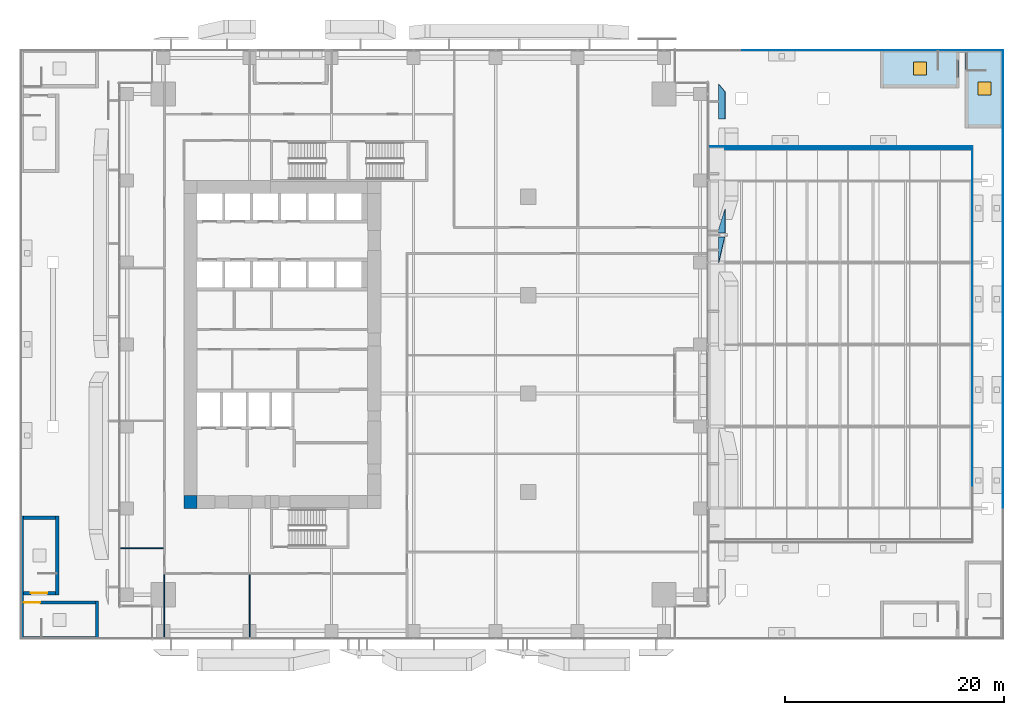
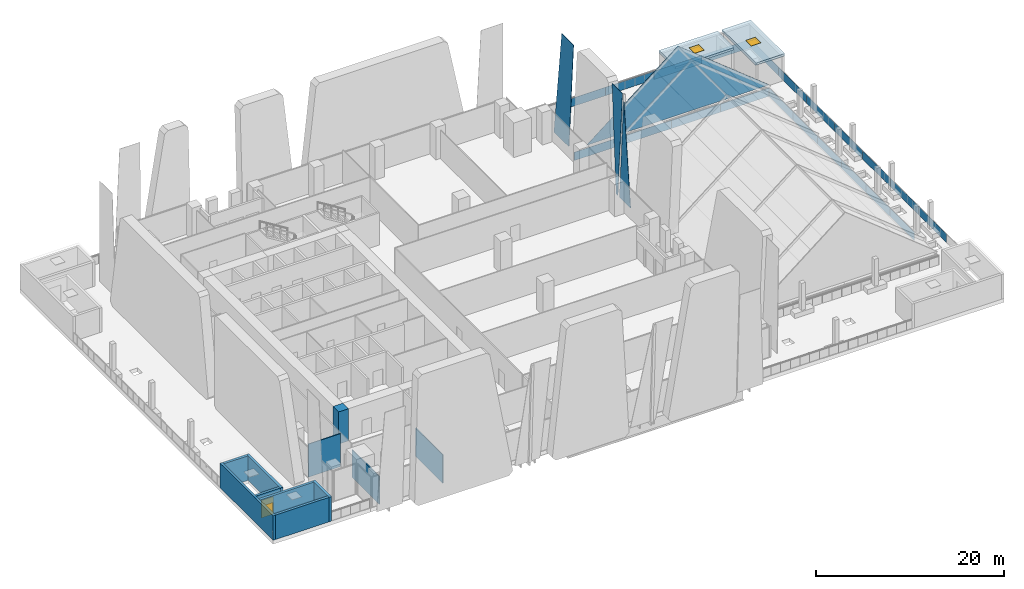
# One storey, part 34 of 46: 25 plates, 11 walls, 2 doors, 2 slabs, 2 windows, 4 openings.
"""IFC4 building model written with IfcOpenShell, lengths in metres."""

import ifcopenshell
import ifcopenshell.guid

model = None  # the IFC model being written
_history = None  # IfcOwnerHistory: only IFC2X3 demands one
_inside = {}  # id of a spatial element -> (the spatial element, [elements in it])
_under = {}  # id of a project, library or spatial element -> (it, [spatial elements below it])
_declared = {}  # id of a project -> (the project, [libraries it declares])
_typed = {}  # id of a type object -> (the type object, [elements of that type])
_made_of = {}  # id of a material, layer set ... -> (it, [elements and type objects made of it])


def new_model(schema):
    """Start an empty IFC model of exactly this schema.

    Asked for "IFC4X3", IfcOpenShell would pick the latest addendum, in which some entities
    have other attributes; the version numbers below select the first issue.
    IFC2X3 requires an IfcOwnerHistory on every rooted entity: one is made here for all.
    """
    global model, _history
    if schema == "IFC4X3":
        model = ifcopenshell.file(schema_version=(4, 3, 0, 0))
    else:
        model = ifcopenshell.file(schema=schema)
    _inside.clear()
    _under.clear()
    _declared.clear()
    _typed.clear()
    _made_of.clear()
    _history = None
    if model.schema == "IFC2X3":
        org = make("IfcOrganization", Name="unknown")
        user = make(
            "IfcPersonAndOrganization",
            ThePerson=make("IfcPerson", FamilyName="unknown"),
            TheOrganization=org,
        )
        app = make(
            "IfcApplication",
            ApplicationDeveloper=org,
            Version="unknown",
            ApplicationFullName="unknown",
            ApplicationIdentifier="unknown",
        )
        _history = make(
            "IfcOwnerHistory",
            OwningUser=user,
            OwningApplication=app,
            ChangeAction="ADDED",
            CreationDate=0,
        )
    return model


def make(cls, **values):
    """One entity of the class cls with the attributes given. An attribute that is None is left unset."""
    return model.create_entity(
        cls, **{name: value for name, value in values.items() if value is not None}
    )


def rooted(cls, **values):
    """An entity with a GlobalId (a new one), such as an element, a storey or a relation."""
    return make(cls, GlobalId=ifcopenshell.guid.new(), OwnerHistory=_history, **values)


def si_unit(unit_type, name, prefix=None):
    """IfcSIUnit, for example si_unit("LENGTHUNIT", "METRE", prefix="MILLI")."""
    return make("IfcSIUnit", UnitType=unit_type, Prefix=prefix, Name=name)


def assignment(units):
    """IfcUnitAssignment: the units of a project."""
    return None if units is None else make("IfcUnitAssignment", Units=units)


def point(xyz):
    """IfcCartesianPoint."""
    return None if xyz is None else make("IfcCartesianPoint", Coordinates=xyz)


def direction(xyz):
    """IfcDirection."""
    return None if xyz is None else make("IfcDirection", DirectionRatios=xyz)


def frame(location, z_axis=None, x_axis=None):
    """IfcAxis2Placement3D, a coordinate frame: its origin and axes. An axis left out is left unset."""
    return make(
        "IfcAxis2Placement3D",
        Location=point(location),
        Axis=direction(z_axis),
        RefDirection=direction(x_axis),
    )


def frame_2d(location, x_axis=None):
    """IfcAxis2Placement2D, a coordinate frame in the plane: its origin and x axis."""
    return make(
        "IfcAxis2Placement2D", Location=point(location), RefDirection=direction(x_axis)
    )


def origin():
    """The frame at (0, 0, 0) with its axes left unset."""
    return frame((0.0, 0.0, 0.0))


def origin_2d():
    """The frame at (0, 0) in the plane with its x axis left unset."""
    return frame_2d((0.0, 0.0))


def place(relative_to, where):
    """IfcLocalPlacement: puts the frame where relative to a parent placement (None: the world)."""
    return make(
        "IfcLocalPlacement", PlacementRelTo=relative_to, RelativePlacement=where
    )


def context(
    kind, dimensions, precision=None, world=None, true_north=None, identifier=None
):
    """IfcGeometricRepresentationContext, for example the 3D "Model" context."""
    return make(
        "IfcGeometricRepresentationContext",
        ContextIdentifier=identifier,
        ContextType=kind,
        CoordinateSpaceDimension=dimensions,
        Precision=precision,
        WorldCoordinateSystem=world,
        TrueNorth=true_north,
    )


def subcontext(parent, identifier, kind, view, scale=None):
    """IfcGeometricRepresentationSubContext, for example "Body" below "Model"."""
    return make(
        "IfcGeometricRepresentationSubContext",
        ContextIdentifier=identifier,
        ContextType=kind,
        ParentContext=parent,
        TargetScale=scale,
        TargetView=view,
    )


def project(units=None, contexts=None):
    """IfcProject with its units and contexts."""
    return rooted(
        "IfcProject",
        Name="project",
        RepresentationContexts=contexts,
        UnitsInContext=assignment(units),
    )


def spatial(cls, under=None, at=None, **own):
    """A site, building, storey or space (cls), placed at a placement, below another one or the project."""
    s = rooted(cls, ObjectPlacement=at, **own)
    if under is not None:
        _under.setdefault(under.id(), (under, []))[1].append(s)
    return s


def polyline(points):
    """IfcPolyline through the points."""
    return make("IfcPolyline", Points=[point(p) for p in points])


def profile(cls, at=None, kind="AREA", **sizes):
    """A parametric profile (cls). Its sizes go by their IFC names, for example OverallWidth=200.0."""
    return make(cls, ProfileType=kind, Position=at, **sizes)


def rectangle(**sizes):
    """IfcRectangleProfileDef."""
    return profile("IfcRectangleProfileDef", **sizes)


def outline(outer, holes=None, kind="AREA"):
    """IfcArbitraryClosedProfileDef: a profile drawn as a closed curve; with holes, ...WithVoids."""
    if holes is None:
        return make("IfcArbitraryClosedProfileDef", ProfileType=kind, OuterCurve=outer)
    return make(
        "IfcArbitraryProfileDefWithVoids",
        ProfileType=kind,
        OuterCurve=outer,
        InnerCurves=holes,
    )


def extrude(swept, where, along, depth):
    """IfcExtrudedAreaSolid: the profile swept, set in the frame where, extruded along a direction by depth."""
    return make(
        "IfcExtrudedAreaSolid",
        SweptArea=swept,
        Position=where,
        ExtrudedDirection=direction(along),
        Depth=depth,
    )


def shape(context_of_items, identifier, shape_type, items):
    """IfcShapeRepresentation: the items that make up one representation, for example the "Body"."""
    return make(
        "IfcShapeRepresentation",
        ContextOfItems=context_of_items,
        RepresentationIdentifier=identifier,
        RepresentationType=shape_type,
        Items=items,
    )


def source(mapping_origin, context_of_items, identifier, shape_type, items):
    """IfcRepresentationMap: a shape defined once, which mapped items show again and again."""
    return make(
        "IfcRepresentationMap",
        MappingOrigin=mapping_origin,
        MappedRepresentation=shape(context_of_items, identifier, shape_type, items),
    )


def transform(
    local_origin,
    x_axis=None,
    y_axis=None,
    z_axis=None,
    scale=None,
    scale2=None,
    scale3=None,
    uniform=True,
):
    """IfcCartesianTransformationOperator3D, or its non-uniform kind. x_axis, y_axis, z_axis: its Axis1, 2, 3."""
    if uniform:
        return make(
            "IfcCartesianTransformationOperator3D",
            Axis1=direction(x_axis),
            Axis2=direction(y_axis),
            LocalOrigin=point(local_origin),
            Scale=scale,
            Axis3=direction(z_axis),
        )
    return make(
        "IfcCartesianTransformationOperator3DnonUniform",
        Axis1=direction(x_axis),
        Axis2=direction(y_axis),
        LocalOrigin=point(local_origin),
        Scale=scale,
        Axis3=direction(z_axis),
        Scale2=scale2,
        Scale3=scale3,
    )


def mapped(mapping_source, mapping_target):
    """IfcMappedItem: shows the shape of a source again, moved by a transform."""
    return make(
        "IfcMappedItem", MappingSource=mapping_source, MappingTarget=mapping_target
    )


def material(Name=None, Category=None):
    """IfcMaterial."""
    return make("IfcMaterial", Name=Name, Category=Category)


def layer(
    of_material, thickness, ventilated=None, Name=None, Category=None, Priority=None
):
    """IfcMaterialLayer: one layer of a wall or slab, of a material (None: an air gap)."""
    return make(
        "IfcMaterialLayer",
        Material=of_material,
        LayerThickness=thickness,
        IsVentilated=ventilated,
        Name=Name,
        Category=Category,
        Priority=Priority,
    )


def layer_set(layers, Name=None):
    """IfcMaterialLayerSet."""
    return make("IfcMaterialLayerSet", MaterialLayers=layers, LayerSetName=Name)


def made_of(thing, what):
    """Note that an element or type object is made of a material, layer set ...; save() writes the relation."""
    if what is not None:
        _made_of.setdefault(what.id(), (what, []))[1].append(thing)
    return thing


def type_object(cls, material=None, **own):
    """A type object (cls), such as IfcWallType, which elements share."""
    return made_of(rooted(cls, **own), material)


def element(
    cls,
    number,
    at=None,
    inside=None,
    cuts=None,
    type_object=None,
    material=None,
    context=None,
    identifier="Body",
    shape_type=None,
    held_by="IfcProductDefinitionShape",
    body=None,
    shapes=None,
    **own,
):
    """One element of the class cls, such as IfcWall. Its Tag is "e" and its number.

    at: its placement. inside: the storey or other place that contains it. cuts: it is an
    opening in that element (IfcRelVoidsElement). A single representation is given by context,
    identifier, shape_type and body (its items); several are given by shapes. held_by: the class
    of the entity that holds the representations. save() writes the other relations.
    """
    e = rooted(cls, Tag="e%d" % number, ObjectPlacement=at, **own)
    if body is not None:
        shapes = [shape(context, identifier, shape_type, body)]
    if shapes is not None:
        e.Representation = make(held_by, Representations=shapes)
    if inside is not None:
        _inside.setdefault(inside.id(), (inside, []))[1].append(e)
    if cuts is not None:
        rooted(
            "IfcRelVoidsElement", RelatingBuildingElement=cuts, RelatedOpeningElement=e
        )
    if type_object is not None:
        _typed.setdefault(type_object.id(), (type_object, []))[1].append(e)
    return made_of(e, material)


def fill(opening, filler):
    """IfcRelFillsElement: the door or window that sits in an opening."""
    return rooted(
        "IfcRelFillsElement",
        RelatingOpeningElement=opening,
        RelatedBuildingElement=filler,
    )


def aggregate(whole, parts):
    """IfcRelAggregates: a whole, such as a stair, and the parts it consists of."""
    return rooted("IfcRelAggregates", RelatingObject=whole, RelatedObjects=parts)


def save(model, path):
    """Write the relations noted so far, then the file.

    IfcRelAggregates (storeys below a building ...), IfcRelContainedInSpatialStructure (elements
    in a storey), IfcRelDefinesByType, IfcRelAssociatesMaterial and IfcRelDeclares: one each for
    every whole, place, type object, material and project.
    """
    for whole, parts in _under.values():
        aggregate(whole, parts)
    for where, things in _inside.values():
        rooted(
            "IfcRelContainedInSpatialStructure",
            RelatedElements=things,
            RelatingStructure=where,
        )
    for kind, things in _typed.values():
        rooted("IfcRelDefinesByType", RelatedObjects=things, RelatingType=kind)
    for what, things in _made_of.values():
        rooted("IfcRelAssociatesMaterial", RelatedObjects=things, RelatingMaterial=what)
    for by, libraries in _declared.values():
        rooted("IfcRelDeclares", RelatingContext=by, RelatedDefinitions=libraries)
    model.write(path)


model = new_model("IFC4")

# Units and contexts
model_context = context("Model", 3, precision=1e-05, world=origin(), true_north=direction((0.0, 1.0)))
body_context = subcontext(model_context, "Body", "Model", "MODEL_VIEW")
ifc_project = project(units=[si_unit("LENGTHUNIT", "METRE"), si_unit("AREAUNIT", "SQUARE_METRE"), si_unit("VOLUMEUNIT", "CUBIC_METRE"), si_unit("PLANEANGLEUNIT", "RADIAN"), si_unit("MASSUNIT", "GRAM", prefix="KILO")], contexts=[model_context])

# Site, building, storey
site_placement = place(None, origin())
site = spatial("IfcSite", under=ifc_project, at=site_placement, CompositionType="ELEMENT")
building_placement = place(site_placement, origin())
building = spatial("IfcBuilding", under=site, at=building_placement, Name="Khomas Fold Tower", CompositionType="ELEMENT")
storey_placement = place(building_placement, frame((0.0, 0.0, 33.0)))
storey = spatial("IfcBuildingStorey", under=building, at=storey_placement, Name="L06", CompositionType="ELEMENT", Elevation=33.0)

# Plates
ifc_material_1 = material(Name="Laminated heat-strengthened glass", Category="glass")
ifc_layer_1 = layer(ifc_material_1, 0.031982421875)
ifc_layer_set_1 = layer_set([ifc_layer_1], Name="Laminated heat-strengthened glass")
plate_type_1 = type_object("IfcPlateType", Name="Atrium lantern gable glazing AL-G", PredefinedType="SHEET", material=ifc_layer_set_1)
plate_1_placement = place(storey_placement, frame((55.5, 44.865966796875, 1.644287109375), z_axis=(0.0, -1.0, 0.0), x_axis=(1.0, 0.0, 0.0)))
element("IfcPlate", 1, at=plate_1_placement, inside=storey, type_object=plate_type_1, Name="Atrium lantern gable glazing", PredefinedType="SHEET", context=body_context, shape_type="SweptSolid", body=[
    extrude(outline(polyline([(0.0, 0.0), (22.5, 0.0), (11.25, 9.0), (0.0, 0.0)])), origin(), (0.0, 0.0, -1.0), 0.031982421875),
])
ifc_material_2 = material(Name="Clear laminated glass", Category="glass")
ifc_layer_2 = layer(ifc_material_2, 0.0400390625)
ifc_layer_set_2 = layer_set([ifc_layer_2], Name="Clear laminated glass")
plate_type_2 = type_object("IfcPlateType", Name="SK-Clear laminated glass leaf", PredefinedType="SHEET", material=ifc_layer_set_2)
plate_2_placement = place(storey_placement, frame((55.443359375, 36.830078125, 12.4091796875), z_axis=(-0.999042386844, 0.0, 0.043752820357), x_axis=(-0.043752820357, 0.0, -0.999042386844)))
element("IfcPlate", 2, at=plate_2_placement, inside=storey, type_object=plate_type_2, Name="OUTER SKIN glass L06 EG104-2", PredefinedType="SHEET", context=body_context, shape_type="SweptSolid", body=[
    extrude(outline(polyline([(0.0, 0.0), (12.42107427163519, 0.0), (12.42107427163519, 2.383544921875), (0.0, 0.0)])), origin(), (0.0, 0.0, -1.0), 0.0400390625),
])
plate_3_placement = place(storey_placement, frame((55.471435546875, 39.380615234375, 13.050048828125), z_axis=(-0.99904235518, 0.0, 0.043753543365), x_axis=(-0.04332589688, -0.139472002941, -0.989277729991)))
element("IfcPlate", 3, at=plate_3_placement, inside=storey, type_object=plate_type_2, Name="OUTER SKIN glass L06 EG105-4", PredefinedType="SHEET", context=body_context, shape_type="SweptSolid", body=[
    extrude(outline(polyline([(0.0, 0.0), (13.191491562485838, 0.0), (13.24321470029528, 0.36722493078321294), (0.30832983072053294, 2.189086075208686), (0.0, 0.0)])), origin(), (0.0, 0.0, -1.0), 0.0400390625),
])
plate_4_placement = place(storey_placement, frame((55.471435546875, 47.60009765625, 13.050048828125), z_axis=(-0.99904235518, 0.0, 0.043753543365), x_axis=(0.0, 1.0, 0.0)))
element("IfcPlate", 4, at=plate_4_placement, inside=storey, type_object=plate_type_2, Name="OUTER SKIN glass L06 EG107-5", PredefinedType="SHEET", context=body_context, shape_type="SweptSolid", body=[
    extrude(outline(polyline([(0.0, 0.0), (2.513671875, 0.0), (3.19970703125, 13.062558119247585), (0.0, 13.062558119247585), (0.0, 0.0)])), origin(), (0.0, 0.0, -1.0), 0.0400390625),
])
ifc_material_3 = material(Name="Laminated toughened glass", Category="glass")
ifc_layer_3 = layer(ifc_material_3, 0.030029296875)
ifc_layer_set_3 = layer_set([ifc_layer_3], Name="Laminated toughened glass")
plate_type_3 = type_object("IfcPlateType", Name="Guard glass infill GD-GI", PredefinedType="SHEET", material=ifc_layer_set_3)
shared_shape_1 = source(origin(), body_context, "Body", "SweptSolid", [
    extrude(rectangle(XDim=5.977783203125, YDim=0.030029296875, at=origin_2d()), origin(), (0.0, 0.0, 1.0), 1.10009765625),
])
for number, where, z_axis, x_axis, name in (
    (5, (80.89990234375, 50.9111328125, 0.0), (0.0, 0.0, 1.0), (0.0, -1.0, 0.0), "Guard glass infill"),
    (6, (80.89990234375, 44.933349609375, 0.0), (0.0, 0.0, 1.0), (0.0, -1.0, 0.0), "Guard glass infill"),
    (7, (80.89990234375, 38.95556640625, 0.0), (0.0, 0.0, 1.0), (0.0, -1.0, 0.0), "Guard glass infill"),
    (8, (80.89990234375, 32.977783203125, 0.0), (0.0, 0.0, 1.0), (0.0, -1.0, 0.0), "Guard glass infill"),
    (9, (80.89990234375, 27.0, 0.0), (0.0, 0.0, 1.0), (0.0, -1.0, 0.0), "Guard glass infill"),
    (10, (80.89990234375, 21.022216796875, 0.0), (0.0, 0.0, 1.0), (0.0, -1.0, 0.0), "Guard glass infill"),
    (11, (80.89990234375, 15.04443359375, 0.0), (0.0, 0.0, 1.0), (0.0, -1.0, 0.0), "Guard glass infill"),
):
    element("IfcPlate", number, at=place(storey_placement, frame(where, z_axis=z_axis, x_axis=x_axis)), inside=storey, type_object=plate_type_3, Name=name, PredefinedType="SHEET", context=body_context, shape_type="MappedRepresentation", body=[
        mapped(shared_shape_1, transform((0.0, 0.0, 0.0))),
    ])
shared_shape_2 = source(origin(), body_context, "Body", "SweptSolid", [
    extrude(rectangle(XDim=5.9580078125, YDim=0.030029296875, at=origin_2d()), origin(), (0.0, 0.0, 1.0), 1.10009765625),
])
for number, where, z_axis, x_axis, name in (
    (12, (60.047119140625, 53.89990234375, 0.0), (0.0, 0.0, 1.0), (1.0, 0.0, 0.0), "Guard glass infill"),
    (13, (66.0048828125, 53.89990234375, 0.0), (0.0, 0.0, 1.0), (1.0, 0.0, 0.0), "Guard glass infill"),
    (14, (71.962890625, 53.89990234375, 0.0), (0.0, 0.0, 1.0), (1.0, 0.0, 0.0), "Guard glass infill"),
    (15, (77.9208984375, 53.89990234375, 0.0), (0.0, 0.0, 1.0), (1.0, 0.0, 0.0), "Guard glass infill"),
):
    element("IfcPlate", number, at=place(storey_placement, frame(where, z_axis=z_axis, x_axis=x_axis)), inside=storey, type_object=plate_type_3, Name=name, PredefinedType="SHEET", context=body_context, shape_type="MappedRepresentation", body=[
        mapped(shared_shape_2, transform((0.0, 0.0, 0.0))),
    ])
shared_shape_3 = source(origin(), body_context, "Body", "SweptSolid", [
    extrude(rectangle(XDim=5.99755859375, YDim=0.030029296875, at=origin_2d()), origin(), (0.0, 0.0, 1.0), 1.10009765625),
])
for number, where, z_axis, x_axis, name in (
    (16, (75.101318359375, 45.10009765625, 0.0), (0.0, 0.0, 1.0), (-1.0, 0.0, 0.0), "Guard glass infill"),
    (17, (69.103759765625, 45.10009765625, 0.0), (0.0, 0.0, 1.0), (-1.0, 0.0, 0.0), "Guard glass infill"),
    (18, (63.106201171875, 45.10009765625, 0.0), (0.0, 0.0, 1.0), (-1.0, 0.0, 0.0), "Guard glass infill"),
    (19, (57.108642578125, 45.10009765625, 0.0), (0.0, 0.0, 1.0), (-1.0, 0.0, 0.0), "Guard glass infill"),
):
    element("IfcPlate", number, at=place(storey_placement, frame(where, z_axis=z_axis, x_axis=x_axis)), inside=storey, type_object=plate_type_3, Name=name, PredefinedType="SHEET", context=body_context, shape_type="MappedRepresentation", body=[
        mapped(shared_shape_3, transform((0.0, 0.0, 0.0))),
    ])
shared_shape_4 = source(origin(), body_context, "Body", "SweptSolid", [
    extrude(rectangle(XDim=5.17138671875, YDim=0.030029296875, at=origin_2d()), origin(), (0.0, 0.0, 1.0), 1.10009765625),
])
for number, where, z_axis, x_axis, name in (
    (20, (78.10009765625, 16.6572265625, 0.0), (0.0, 0.0, 1.0), (0.0, 1.0, 0.0), "Guard glass infill"),
    (21, (78.10009765625, 21.82861328125, 0.0), (0.0, 0.0, 1.0), (0.0, 1.0, 0.0), "Guard glass infill"),
    (22, (78.10009765625, 27.0, 0.0), (0.0, 0.0, 1.0), (0.0, 1.0, 0.0), "Guard glass infill"),
    (23, (78.10009765625, 32.17138671875, 0.0), (0.0, 0.0, 1.0), (0.0, 1.0, 0.0), "Guard glass infill"),
    (24, (78.10009765625, 37.3427734375, 0.0), (0.0, 0.0, 1.0), (0.0, 1.0, 0.0), "Guard glass infill"),
    (25, (78.10009765625, 42.514404296875, 0.0), (0.0, 0.0, 1.0), (0.0, 1.0, 0.0), "Guard glass infill"),
):
    element("IfcPlate", number, at=place(storey_placement, frame(where, z_axis=z_axis, x_axis=x_axis)), inside=storey, type_object=plate_type_3, Name=name, PredefinedType="SHEET", context=body_context, shape_type="MappedRepresentation", body=[
        mapped(shared_shape_4, transform((0.0, 0.0, 0.0))),
    ])

# Slab, opening, window
ifc_material_4 = material(Name="Concrete C40/50", Category="concrete")
ifc_layer_4 = layer(ifc_material_4, 0.300048828125)
ifc_layer_set_4 = layer_set([ifc_layer_4], Name="Concrete C40/50")
slab_type = type_object("IfcSlabType", Name="Stair head house roof slab PD-HR", PredefinedType="ROOF", material=ifc_layer_set_4)
shared_shape_5 = source(origin(), body_context, "Body", "SweptSolid", [
    extrude(outline(polyline([(69.699951171875, 50.449951171875), (76.89990234375, 50.449951171875), (76.89990234375, 54.0), (69.699951171875, 54.0), (69.699951171875, 50.449951171875)])), origin(), (0.0, 0.0, 1.0), 0.300048828125),
])
slab_1_placement = place(storey_placement, frame((0.0, 0.0, 3.199951171875)))
slab_1 = element("IfcSlab", 26, at=slab_1_placement, inside=storey, type_object=slab_type, Name="Stair head roof PS5", PredefinedType="ROOF", context=body_context, shape_type="MappedRepresentation", body=[
    mapped(shared_shape_5, transform((0.0, 0.0, 0.0))),
])
opening_1_placement = place(slab_1_placement, frame((73.300048828125, 52.22509765625, 0.0)))
opening_1 = element("IfcOpeningElement", 27, at=opening_1_placement, cuts=slab_1, Name="Opening PD-SV", PredefinedType="OPENING", context=body_context, shape_type="SweptSolid", body=[
    extrude(rectangle(XDim=1.199951171875, YDim=1.199951171875, at=origin_2d()), origin(), (0.0, 0.0, 1.0), 0.300048828125),
])
ifc_material_5 = material(Name="Insulated aluminium", Category="aluminium")
window_type = type_object("IfcWindowType", Name="Stair smoke vent", PartitioningType="SINGLE_PANEL", PredefinedType="SKYLIGHT", material=ifc_material_5)
window_1_placement = place(opening_1_placement, frame((0.0, 0.0, 0.25)))
window_1 = element("IfcWindow", 28, at=window_1_placement, inside=storey, type_object=window_type, Name="Stair smoke vent PS5", OverallHeight=1.199951171875, OverallWidth=1.199951171875, PartitioningType="SINGLE_PANEL", PredefinedType="SKYLIGHT", context=body_context, shape_type="SweptSolid", body=[
    extrude(rectangle(XDim=1.199951171875, YDim=1.199951171875, at=origin_2d()), origin(), (0.0, 0.0, 1.0), 0.050048828125),
])
fill(opening_1, window_1)

shared_shape_6 = source(origin(), body_context, "Body", "SweptSolid", [
    extrude(outline(polyline([(77.449951171875, 46.800048828125), (81.0, 46.800048828125), (81.0, 54.0), (77.449951171875, 54.0), (77.449951171875, 46.800048828125)])), origin(), (0.0, 0.0, 1.0), 0.300048828125),
])
slab_2_placement = place(storey_placement, frame((0.0, 0.0, 3.199951171875)))
slab_2 = element("IfcSlab", 29, at=slab_2_placement, inside=storey, type_object=slab_type, Name="Stair head roof PS6", PredefinedType="ROOF", context=body_context, shape_type="MappedRepresentation", body=[
    mapped(shared_shape_6, transform((0.0, 0.0, 0.0))),
])
opening_2_placement = place(slab_2_placement, frame((79.22509765625, 50.39990234375, 0.0)))
opening_2 = element("IfcOpeningElement", 30, at=opening_2_placement, cuts=slab_2, Name="Opening PD-SV", PredefinedType="OPENING", context=body_context, shape_type="SweptSolid", body=[
    extrude(rectangle(XDim=1.199951171875, YDim=1.199951171875, at=origin_2d()), origin(), (0.0, 0.0, 1.0), 0.300048828125),
])
window_2_placement = place(opening_2_placement, frame((0.0, 0.0, 0.25)))
window_2 = element("IfcWindow", 31, at=window_2_placement, inside=storey, type_object=window_type, Name="Stair smoke vent PS6", OverallHeight=1.199951171875, OverallWidth=1.199951171875, PartitioningType="SINGLE_PANEL", PredefinedType="SKYLIGHT", context=body_context, shape_type="SweptSolid", body=[
    extrude(rectangle(XDim=1.199951171875, YDim=1.199951171875, at=origin_2d()), origin(), (0.0, 0.0, 1.0), 0.050048828125),
])
fill(opening_2, window_2)

# Walls
ifc_material_6 = material(Name="Concrete C70/85", Category="concrete")
ifc_layer_5 = layer(ifc_material_6, 1.199951171875)
ifc_layer_set_5 = layer_set([ifc_layer_5], Name="Concrete C70/85")
wall_type_1 = type_object("IfcWallType", Name="Core corner wall 1200", PredefinedType="SHEAR", material=ifc_layer_set_5)
shared_shape_7 = source(origin(), body_context, "Body", "SweptSolid", [
    extrude(rectangle(XDim=1.199951171875, YDim=1.199951171875, at=frame_2d((0.60009765625, 0.0))), origin(), (0.0, 0.0, 1.0), 4.199951171875),
])
wall_1_placement = place(storey_placement, frame((6.0, 12.60009765625, 0.0), z_axis=(0.0, 0.0, 1.0), x_axis=(1.0, 0.0, 0.0)))
element("IfcWall", 32, at=wall_1_placement, inside=storey, type_object=wall_type_1, Name="Core wall CW-L-SW-B2", PredefinedType="SHEAR", context=body_context, shape_type="MappedRepresentation", body=[
    mapped(shared_shape_7, transform((0.0, 0.0, 0.0))),
])
ifc_material_7 = material(Name="Concrete C40/50", Category="concrete")
ifc_layer_6 = layer(ifc_material_7, 0.300048828125)
ifc_layer_set_6 = layer_set([ifc_layer_6], Name="Concrete C40/50")
wall_type_2 = type_object("IfcWallType", Name="Stair head house wall PD-HW", PredefinedType="SOLIDWALL", material=ifc_layer_set_6)
shared_shape_8 = source(origin(), body_context, "Body", "SweptSolid", [
    extrude(rectangle(XDim=6.599853515625, YDim=0.300048828125, at=frame_2d((3.2998046875, 0.0))), origin(), (0.0, 0.0, 1.0), 3.199951171875),
])
wall_2_placement = place(storey_placement, frame((-8.699951171875, 0.14990234375, 0.0), z_axis=(0.0, 0.0, 1.0), x_axis=(1.0, 0.0, 0.0)))
element("IfcWall", 33, at=wall_2_placement, inside=storey, type_object=wall_type_2, Name="Stair head house wall", PredefinedType="SOLIDWALL", context=body_context, shape_type="MappedRepresentation", body=[
    mapped(shared_shape_8, transform((0.0, 0.0, 0.0))),
])

# Wall, opening, door
wall_3_placement = place(storey_placement, frame((-2.10009765625, 3.39990234375, 0.0), z_axis=(0.0, 0.0, 1.0), x_axis=(-1.0, 0.0, 0.0)))
wall_3 = element("IfcWall", 34, at=wall_3_placement, inside=storey, type_object=wall_type_2, Name="Stair head house wall", PredefinedType="SOLIDWALL", context=body_context, shape_type="MappedRepresentation", body=[
    mapped(shared_shape_8, transform((0.0, 0.0, 0.0))),
])
shared_shape_9 = source(origin(), body_context, "Body", "SweptSolid", [
    extrude(rectangle(XDim=1.5, YDim=2.300048828125, at=frame_2d((0.75, 1.14990234375))), frame((0.0, 0.159912109375, 0.0), z_axis=(0.0, -1.0, 0.0), x_axis=(1.0, 0.0, 0.0)), (0.0, 0.0, 1.0), 0.320068359375),
])
opening_3_placement = place(wall_3_placement, frame((5.050048828125, 0.0, 0.0)))
opening_3 = element("IfcOpeningElement", 35, at=opening_3_placement, cuts=wall_3, Name="Opening R-PS1", PredefinedType="OPENING", context=body_context, shape_type="MappedRepresentation", body=[
    mapped(shared_shape_9, transform((0.0, 0.0, 0.0))),
])
ifc_material_8 = material(Name="Aluminium framed glazing", Category="aluminium")
door_type = type_object("IfcDoorType", Name="Roof garden door 1700 x 2300", OperationType="DOUBLE_DOOR_SINGLE_SWING", PredefinedType="DOOR", material=ifc_material_8)
shared_shape_10 = source(origin(), body_context, "Body", "SweptSolid", [
    extrude(rectangle(XDim=1.5, YDim=2.300048828125, at=frame_2d((0.75, 1.14990234375))), frame((0.0, 0.02490234375, 0.0), z_axis=(0.0, -1.0, 0.0), x_axis=(1.0, 0.0, 0.0)), (0.0, 0.0, 1.0), 0.050048828125),
])
door_1_placement = place(opening_3_placement, origin())
door_1 = element("IfcDoor", 36, at=door_1_placement, inside=storey, type_object=door_type, Name="Roof exit PS1", OperationType="DOUBLE_DOOR_SINGLE_SWING", OverallHeight=2.300048828125, OverallWidth=1.5, PredefinedType="DOOR", context=body_context, shape_type="MappedRepresentation", body=[
    mapped(shared_shape_10, transform((0.0, 0.0, 0.0))),
])
fill(opening_3, door_1)

# Walls
shared_shape_11 = source(origin(), body_context, "Body", "SweptSolid", [
    extrude(rectangle(XDim=3.550048828125, YDim=0.300048828125, at=frame_2d((1.77490234375, 0.0))), origin(), (0.0, 0.0, 1.0), 3.199951171875),
])
wall_4_placement = place(storey_placement, frame((-1.949951171875, 0.0, 0.0), z_axis=(0.0, 0.0, 1.0), x_axis=(0.0, 1.0, 0.0)))
element("IfcWall", 37, at=wall_4_placement, inside=storey, type_object=wall_type_2, Name="Stair head house wall", PredefinedType="SOLIDWALL", context=body_context, shape_type="MappedRepresentation", body=[
    mapped(shared_shape_11, transform((0.0, 0.0, 0.0))),
])
shared_shape_12 = source(origin(), body_context, "Body", "SweptSolid", [
    extrude(rectangle(XDim=11.300048828125, YDim=0.300048828125, at=frame_2d((5.64990234375, 0.0))), origin(), (0.0, 0.0, 1.0), 3.199951171875),
])
wall_5_placement = place(storey_placement, frame((-8.85009765625, 11.300048828125, 0.0), z_axis=(0.0, 0.0, 1.0), x_axis=(0.0, -1.0, 0.0)))
element("IfcWall", 38, at=wall_5_placement, inside=storey, type_object=wall_type_2, Name="Stair head house wall", PredefinedType="SOLIDWALL", context=body_context, shape_type="MappedRepresentation", body=[
    mapped(shared_shape_12, transform((0.0, 0.0, 0.0))),
])

# Wall, opening, door
shared_shape_13 = source(origin(), body_context, "Body", "SweptSolid", [
    extrude(rectangle(XDim=2.949951171875, YDim=0.300048828125, at=frame_2d((1.47509765625, 0.0))), origin(), (0.0, 0.0, 1.0), 3.199951171875),
])
wall_6_placement = place(storey_placement, frame((-8.699951171875, 4.25, 0.0), z_axis=(0.0, 0.0, 1.0), x_axis=(1.0, 0.0, 0.0)))
wall_6 = element("IfcWall", 39, at=wall_6_placement, inside=storey, type_object=wall_type_2, Name="Stair head house wall", PredefinedType="SOLIDWALL", context=body_context, shape_type="MappedRepresentation", body=[
    mapped(shared_shape_13, transform((0.0, 0.0, 0.0))),
])
opening_4_placement = place(wall_6_placement, frame((2.199951171875, 0.0, 0.0), z_axis=(0.0, 0.0, 1.0), x_axis=(-1.0, 0.0, 0.0)))
opening_4 = element("IfcOpeningElement", 40, at=opening_4_placement, cuts=wall_6, Name="Opening R-PS2", PredefinedType="OPENING", context=body_context, shape_type="MappedRepresentation", body=[
    mapped(shared_shape_9, transform((0.0, 0.0, 0.0))),
])
door_2_placement = place(opening_4_placement, origin())
door_2 = element("IfcDoor", 41, at=door_2_placement, inside=storey, type_object=door_type, Name="Roof exit PS2", OperationType="DOUBLE_DOOR_SINGLE_SWING", OverallHeight=2.300048828125, OverallWidth=1.5, PredefinedType="DOOR", context=body_context, shape_type="MappedRepresentation", body=[
    mapped(shared_shape_10, transform((0.0, 0.0, 0.0))),
])
fill(opening_4, door_2)

# Walls
wall_7_placement = place(storey_placement, frame((-5.75, 11.14990234375, 0.0), z_axis=(0.0, 0.0, 1.0), x_axis=(-1.0, 0.0, 0.0)))
element("IfcWall", 42, at=wall_7_placement, inside=storey, type_object=wall_type_2, Name="Stair head house wall", PredefinedType="SOLIDWALL", context=body_context, shape_type="MappedRepresentation", body=[
    mapped(shared_shape_13, transform((0.0, 0.0, 0.0))),
])
shared_shape_14 = source(origin(), body_context, "Body", "SweptSolid", [
    extrude(rectangle(XDim=7.199951171875, YDim=0.300048828125, at=frame_2d((3.60009765625, 0.0))), origin(), (0.0, 0.0, 1.0), 3.199951171875),
])
wall_8_placement = place(storey_placement, frame((-5.60009765625, 4.10009765625, 0.0), z_axis=(0.0, 0.0, 1.0), x_axis=(0.0, 1.0, 0.0)))
element("IfcWall", 43, at=wall_8_placement, inside=storey, type_object=wall_type_2, Name="Stair head house wall", PredefinedType="SOLIDWALL", context=body_context, shape_type="MappedRepresentation", body=[
    mapped(shared_shape_14, transform((0.0, 0.0, 0.0))),
])
ifc_material_9 = material(Name="Plasterboard partition")
ifc_layer_7 = layer(ifc_material_9, 0.10009765625)
ifc_layer_set_7 = layer_set([ifc_layer_7], Name="Plasterboard partition")
wall_type_3 = type_object("IfcWallType", Name="Partition PW1 100", PredefinedType="PARTITIONING", material=ifc_layer_set_7)
shared_shape_15 = source(origin(), body_context, "Body", "SweptSolid", [
    extrude(rectangle(XDim=5.800048828125, YDim=0.10009765625, at=frame_2d((2.89990234375, 0.0))), origin(), (0.0, 0.0, 1.0), 3.60009765625),
])
wall_9_placement = place(storey_placement, frame((4.199951171875, 0.14990234375, 0.0), z_axis=(0.0, 0.0, 1.0), x_axis=(0.0, 1.0, 0.0)))
element("IfcWall", 44, at=wall_9_placement, inside=storey, type_object=wall_type_3, Name="Partition", PredefinedType="PARTITIONING", context=body_context, shape_type="MappedRepresentation", body=[
    mapped(shared_shape_15, transform((0.0, 0.0, 0.0))),
])
shared_shape_16 = source(origin(), body_context, "Body", "SweptSolid", [
    extrude(rectangle(XDim=5.800048828125, YDim=0.10009765625, at=frame_2d((2.89990234375, 0.0))), origin(), (0.0, 0.0, 1.0), 3.699951171875),
])
wall_10_placement = place(storey_placement, frame((12.0, 0.14990234375, 0.0), z_axis=(0.0, 0.0, 1.0), x_axis=(0.0, 1.0, 0.0)))
element("IfcWall", 45, at=wall_10_placement, inside=storey, type_object=wall_type_3, Name="Partition", PredefinedType="PARTITIONING", context=body_context, shape_type="MappedRepresentation", body=[
    mapped(shared_shape_16, transform((0.0, 0.0, 0.0))),
])
shared_shape_17 = source(origin(), body_context, "Body", "SweptSolid", [
    extrude(rectangle(XDim=3.9501953125, YDim=0.10009765625, at=frame_2d((1.97509765625, 0.0))), origin(), (0.0, 0.0, 1.0), 4.300048828125),
])
wall_11_placement = place(storey_placement, frame((0.14990234375, 8.35009765625, 0.0), z_axis=(0.0, 0.0, 1.0), x_axis=(1.0, 0.0, 0.0)))
element("IfcWall", 46, at=wall_11_placement, inside=storey, type_object=wall_type_3, Name="Partition", PredefinedType="PARTITIONING", context=body_context, shape_type="MappedRepresentation", body=[
    mapped(shared_shape_17, transform((0.0, 0.0, 0.0))),
])

save(model, "model.ifc")
